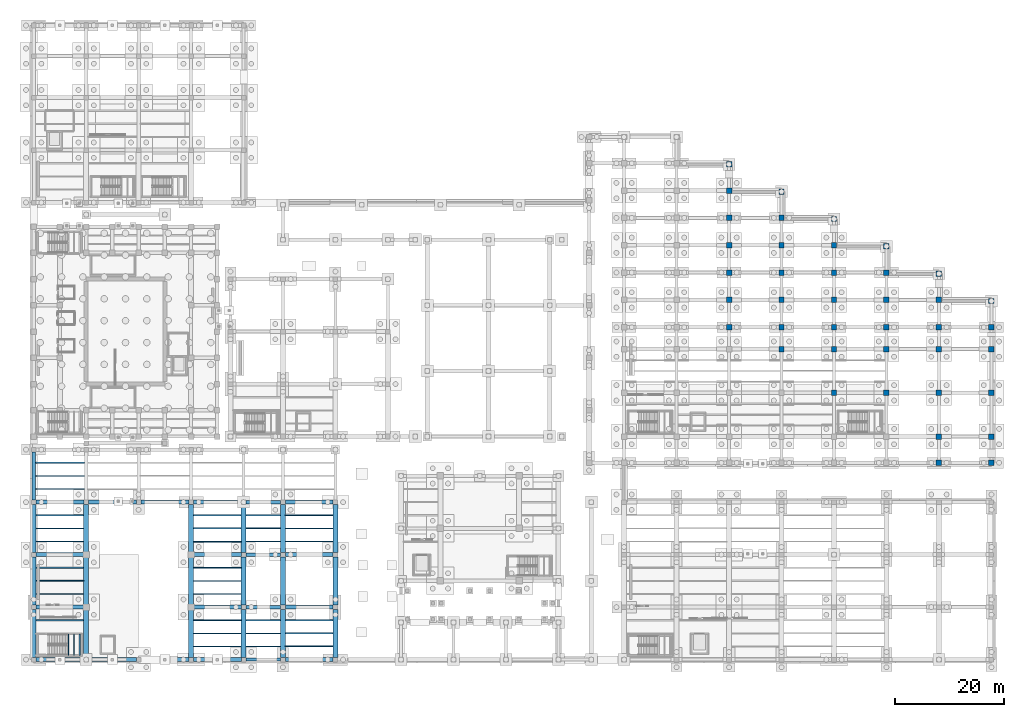
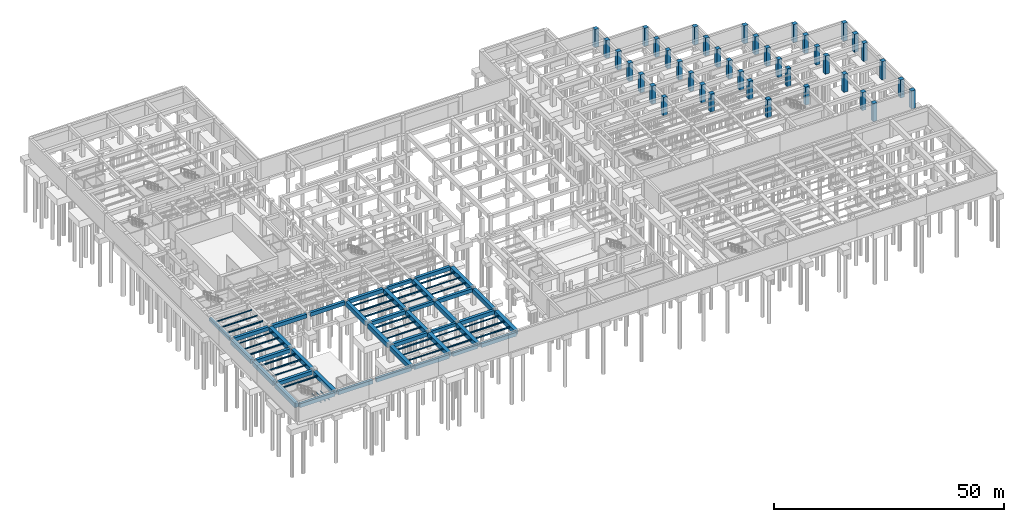
# One storey, part 24 of 56: 73 beams, 40 columns.
"""IFC4 building model written with IfcOpenShell, lengths in metres."""

import ifcopenshell
import ifcopenshell.guid

model = None  # the IFC model being written
_history = None  # IfcOwnerHistory: only IFC2X3 demands one
_inside = {}  # id of a spatial element -> (the spatial element, [elements in it])
_under = {}  # id of a project, library or spatial element -> (it, [spatial elements below it])
_declared = {}  # id of a project -> (the project, [libraries it declares])
_typed = {}  # id of a type object -> (the type object, [elements of that type])
_made_of = {}  # id of a material, layer set ... -> (it, [elements and type objects made of it])


def new_model(schema):
    """Start an empty IFC model of exactly this schema.

    Asked for "IFC4X3", IfcOpenShell would pick the latest addendum, in which some entities
    have other attributes; the version numbers below select the first issue.
    IFC2X3 requires an IfcOwnerHistory on every rooted entity: one is made here for all.
    """
    global model, _history
    if schema == "IFC4X3":
        model = ifcopenshell.file(schema_version=(4, 3, 0, 0))
    else:
        model = ifcopenshell.file(schema=schema)
    _inside.clear()
    _under.clear()
    _declared.clear()
    _typed.clear()
    _made_of.clear()
    _history = None
    if model.schema == "IFC2X3":
        org = make("IfcOrganization", Name="unknown")
        user = make(
            "IfcPersonAndOrganization",
            ThePerson=make("IfcPerson", FamilyName="unknown"),
            TheOrganization=org,
        )
        app = make(
            "IfcApplication",
            ApplicationDeveloper=org,
            Version="unknown",
            ApplicationFullName="unknown",
            ApplicationIdentifier="unknown",
        )
        _history = make(
            "IfcOwnerHistory",
            OwningUser=user,
            OwningApplication=app,
            ChangeAction="ADDED",
            CreationDate=0,
        )
    return model


def make(cls, **values):
    """One entity of the class cls with the attributes given. An attribute that is None is left unset."""
    return model.create_entity(
        cls, **{name: value for name, value in values.items() if value is not None}
    )


def rooted(cls, **values):
    """An entity with a GlobalId (a new one), such as an element, a storey or a relation."""
    return make(cls, GlobalId=ifcopenshell.guid.new(), OwnerHistory=_history, **values)


def si_unit(unit_type, name, prefix=None):
    """IfcSIUnit, for example si_unit("LENGTHUNIT", "METRE", prefix="MILLI")."""
    return make("IfcSIUnit", UnitType=unit_type, Prefix=prefix, Name=name)


def assignment(units):
    """IfcUnitAssignment: the units of a project."""
    return None if units is None else make("IfcUnitAssignment", Units=units)


def point(xyz):
    """IfcCartesianPoint."""
    return None if xyz is None else make("IfcCartesianPoint", Coordinates=xyz)


def direction(xyz):
    """IfcDirection."""
    return None if xyz is None else make("IfcDirection", DirectionRatios=xyz)


def frame(location, z_axis=None, x_axis=None):
    """IfcAxis2Placement3D, a coordinate frame: its origin and axes. An axis left out is left unset."""
    return make(
        "IfcAxis2Placement3D",
        Location=point(location),
        Axis=direction(z_axis),
        RefDirection=direction(x_axis),
    )


def frame_2d(location, x_axis=None):
    """IfcAxis2Placement2D, a coordinate frame in the plane: its origin and x axis."""
    return make(
        "IfcAxis2Placement2D", Location=point(location), RefDirection=direction(x_axis)
    )


def origin():
    """The frame at (0, 0, 0) with its axes left unset."""
    return frame((0.0, 0.0, 0.0))


def origin_2d():
    """The frame at (0, 0) in the plane with its x axis left unset."""
    return frame_2d((0.0, 0.0))


def place(relative_to, where):
    """IfcLocalPlacement: puts the frame where relative to a parent placement (None: the world)."""
    return make(
        "IfcLocalPlacement", PlacementRelTo=relative_to, RelativePlacement=where
    )


def context(
    kind, dimensions, precision=None, world=None, true_north=None, identifier=None
):
    """IfcGeometricRepresentationContext, for example the 3D "Model" context."""
    return make(
        "IfcGeometricRepresentationContext",
        ContextIdentifier=identifier,
        ContextType=kind,
        CoordinateSpaceDimension=dimensions,
        Precision=precision,
        WorldCoordinateSystem=world,
        TrueNorth=true_north,
    )


def subcontext(parent, identifier, kind, view, scale=None):
    """IfcGeometricRepresentationSubContext, for example "Body" below "Model"."""
    return make(
        "IfcGeometricRepresentationSubContext",
        ContextIdentifier=identifier,
        ContextType=kind,
        ParentContext=parent,
        TargetScale=scale,
        TargetView=view,
    )


def project(units=None, contexts=None):
    """IfcProject with its units and contexts."""
    return rooted(
        "IfcProject",
        Name="project",
        RepresentationContexts=contexts,
        UnitsInContext=assignment(units),
    )


def spatial(cls, under=None, at=None, **own):
    """A site, building, storey or space (cls), placed at a placement, below another one or the project."""
    s = rooted(cls, ObjectPlacement=at, **own)
    if under is not None:
        _under.setdefault(under.id(), (under, []))[1].append(s)
    return s


def profile(cls, at=None, kind="AREA", **sizes):
    """A parametric profile (cls). Its sizes go by their IFC names, for example OverallWidth=200.0."""
    return make(cls, ProfileType=kind, Position=at, **sizes)


def rectangle(**sizes):
    """IfcRectangleProfileDef."""
    return profile("IfcRectangleProfileDef", **sizes)


def i_section(**sizes):
    """IfcIShapeProfileDef."""
    return profile("IfcIShapeProfileDef", **sizes)


def extrude(swept, where, along, depth):
    """IfcExtrudedAreaSolid: the profile swept, set in the frame where, extruded along a direction by depth."""
    return make(
        "IfcExtrudedAreaSolid",
        SweptArea=swept,
        Position=where,
        ExtrudedDirection=direction(along),
        Depth=depth,
    )


def shape(context_of_items, identifier, shape_type, items):
    """IfcShapeRepresentation: the items that make up one representation, for example the "Body"."""
    return make(
        "IfcShapeRepresentation",
        ContextOfItems=context_of_items,
        RepresentationIdentifier=identifier,
        RepresentationType=shape_type,
        Items=items,
    )


def material(Name=None, Category=None):
    """IfcMaterial."""
    return make("IfcMaterial", Name=Name, Category=Category)


def material_profile(
    of_material, cross_section, Name=None, Category=None, Priority=None
):
    """IfcMaterialProfile: a cross section and its material."""
    return make(
        "IfcMaterialProfile",
        Name=Name,
        Material=of_material,
        Profile=cross_section,
        Priority=Priority,
        Category=Category,
    )


def profile_set(profiles, Name=None, composite=None):
    """IfcMaterialProfileSet."""
    return make(
        "IfcMaterialProfileSet",
        Name=Name,
        MaterialProfiles=profiles,
        CompositeProfile=composite,
    )


def made_of(thing, what):
    """Note that an element or type object is made of a material, layer set ...; save() writes the relation."""
    if what is not None:
        _made_of.setdefault(what.id(), (what, []))[1].append(thing)
    return thing


def type_object(cls, material=None, **own):
    """A type object (cls), such as IfcWallType, which elements share."""
    return made_of(rooted(cls, **own), material)


def element(
    cls,
    number,
    at=None,
    inside=None,
    cuts=None,
    type_object=None,
    material=None,
    context=None,
    identifier="Body",
    shape_type=None,
    held_by="IfcProductDefinitionShape",
    body=None,
    shapes=None,
    **own,
):
    """One element of the class cls, such as IfcWall. Its Tag is "e" and its number.

    at: its placement. inside: the storey or other place that contains it. cuts: it is an
    opening in that element (IfcRelVoidsElement). A single representation is given by context,
    identifier, shape_type and body (its items); several are given by shapes. held_by: the class
    of the entity that holds the representations. save() writes the other relations.
    """
    e = rooted(cls, Tag="e%d" % number, ObjectPlacement=at, **own)
    if body is not None:
        shapes = [shape(context, identifier, shape_type, body)]
    if shapes is not None:
        e.Representation = make(held_by, Representations=shapes)
    if inside is not None:
        _inside.setdefault(inside.id(), (inside, []))[1].append(e)
    if cuts is not None:
        rooted(
            "IfcRelVoidsElement", RelatingBuildingElement=cuts, RelatedOpeningElement=e
        )
    if type_object is not None:
        _typed.setdefault(type_object.id(), (type_object, []))[1].append(e)
    return made_of(e, material)


def aggregate(whole, parts):
    """IfcRelAggregates: a whole, such as a stair, and the parts it consists of."""
    return rooted("IfcRelAggregates", RelatingObject=whole, RelatedObjects=parts)


def save(model, path):
    """Write the relations noted so far, then the file.

    IfcRelAggregates (storeys below a building ...), IfcRelContainedInSpatialStructure (elements
    in a storey), IfcRelDefinesByType, IfcRelAssociatesMaterial and IfcRelDeclares: one each for
    every whole, place, type object, material and project.
    """
    for whole, parts in _under.values():
        aggregate(whole, parts)
    for where, things in _inside.values():
        rooted(
            "IfcRelContainedInSpatialStructure",
            RelatedElements=things,
            RelatingStructure=where,
        )
    for kind, things in _typed.values():
        rooted("IfcRelDefinesByType", RelatedObjects=things, RelatingType=kind)
    for what, things in _made_of.values():
        rooted("IfcRelAssociatesMaterial", RelatedObjects=things, RelatingMaterial=what)
    for by, libraries in _declared.values():
        rooted("IfcRelDeclares", RelatingContext=by, RelatedDefinitions=libraries)
    model.write(path)


model = new_model("IFC4")

# Units and contexts
model_context = context("Model", 3, precision=1e-05, world=origin(), true_north=direction((0.0, 1.0)))
body_context = subcontext(model_context, "Body", "Model", "MODEL_VIEW")
ifc_project = project(units=[si_unit("LENGTHUNIT", "METRE"), si_unit("AREAUNIT", "SQUARE_METRE"), si_unit("VOLUMEUNIT", "CUBIC_METRE"), si_unit("PLANEANGLEUNIT", "RADIAN"), si_unit("MASSUNIT", "GRAM", prefix="KILO")], contexts=[model_context])

# Site, building, storey
site_placement = place(None, origin())
site = spatial("IfcSite", under=ifc_project, at=site_placement, CompositionType="ELEMENT")
building_placement = place(site_placement, origin())
building = spatial("IfcBuilding", under=site, at=building_placement, Name="Mavantir Sound Aquarium", CompositionType="ELEMENT")
storey_placement = place(building_placement, frame((0.0, 0.0, -9.60009765625)))
storey = spatial("IfcBuildingStorey", under=building, at=storey_placement, Name="B2", CompositionType="ELEMENT", Elevation=-9.60009765625)

# Columns
ifc_material_1 = material(Name="Concrete C40/50", Category="concrete")
ifc_material_profile_1 = material_profile(ifc_material_1, rectangle(XDim=1.0, YDim=1.0, at=origin_2d()), Name="RC 1000X1000")
ifc_profile_set_1 = profile_set([ifc_material_profile_1], Name="Concrete C40/50")
column_type_1 = type_object("IfcColumnType", Name="COL-RC1000-E", PredefinedType="COLUMN", material=ifc_profile_set_1)
for number, where, z_axis, x_axis, name in (
    (1, (175.199951171875, 36.0, 0.0), (0.0, 0.0, 1.0), (1.0, 0.0, 0.0), "B2 column RC-C10 (V4)"),
    (2, (175.199951171875, 40.800048828125, 0.0), (0.0, 0.0, 1.0), (1.0, 0.0, 0.0), "B2 column RC-C10 (V4)"),
    (3, (175.199951171875, 48.800048828125, 0.0), (0.0, 0.0, 1.0), (1.0, 0.0, 0.0), "B2 column RC-C10 (V4)"),
    (4, (175.199951171875, 56.800048828125, 0.0), (0.0, 0.0, 1.0), (1.0, 0.0, 0.0), "B2 column RC-C10 (V4)"),
    (5, (175.199951171875, 60.800048828125, 0.0), (0.0, 0.0, 1.0), (1.0, 0.0, 0.0), "B2 column RC-C10 (V4)"),
    (6, (175.199951171875, 65.60009765625, 0.0), (0.0, 0.0, 1.0), (1.0, 0.0, 0.0), "B2 column RC-C10 (V4)"),
):
    element("IfcColumn", number, at=place(storey_placement, frame(where, z_axis=z_axis, x_axis=x_axis)), inside=storey, type_object=column_type_1, Name=name, PredefinedType="COLUMN", context=body_context, shape_type="SweptSolid", body=[
        extrude(rectangle(XDim=1.0, YDim=1.0, at=origin_2d()), origin(), (0.0, 0.0, 1.0), 4.800048828125),
    ])
ifc_material_profile_2 = material_profile(ifc_material_1, rectangle(XDim=1.0, YDim=1.0, at=origin_2d()), Name="RC 1000X1000")
ifc_profile_set_2 = profile_set([ifc_material_profile_2], Name="Concrete C40/50")
column_type_2 = type_object("IfcColumnType", Name="COL-RC1000-I", PredefinedType="COLUMN", material=ifc_profile_set_2)
for number, where, z_axis, x_axis, name in (
    (7, (127.199951171875, 60.800048828125, 0.0), (0.0, 0.0, 1.0), (1.0, 0.0, 0.0), "B2 column RC-C10 (V4)"),
    (8, (127.199951171875, 65.800048828125, 0.0), (0.0, 0.0, 1.0), (1.0, 0.0, 0.0), "B2 column RC-C10 (V4)"),
    (9, (127.199951171875, 70.800048828125, 0.0), (0.0, 0.0, 1.0), (1.0, 0.0, 0.0), "B2 column RC-C10 (V4)"),
    (10, (127.199951171875, 75.800048828125, 0.0), (0.0, 0.0, 1.0), (1.0, 0.0, 0.0), "B2 column RC-C10 (V4)"),
    (11, (127.199951171875, 80.800048828125, 0.0), (0.0, 0.0, 1.0), (1.0, 0.0, 0.0), "B2 column RC-C10 (V4)"),
    (12, (127.199951171875, 85.800048828125, 0.0), (0.0, 0.0, 1.0), (1.0, 0.0, 0.0), "B2 column RC-C10 (V4)"),
    (13, (127.199951171875, 90.60009765625, 0.0), (0.0, 0.0, 1.0), (1.0, 0.0, 0.0), "B2 column RC-C10 (V4)"),
    (14, (136.800048828125, 56.800048828125, 0.0), (0.0, 0.0, 1.0), (1.0, 0.0, 0.0), "B2 column RC-C10 (V4)"),
    (15, (136.800048828125, 60.800048828125, 0.0), (0.0, 0.0, 1.0), (1.0, 0.0, 0.0), "B2 column RC-C10 (V4)"),
    (16, (136.800048828125, 65.800048828125, 0.0), (0.0, 0.0, 1.0), (1.0, 0.0, 0.0), "B2 column RC-C10 (V4)"),
    (17, (136.800048828125, 70.800048828125, 0.0), (0.0, 0.0, 1.0), (1.0, 0.0, 0.0), "B2 column RC-C10 (V4)"),
    (18, (136.800048828125, 75.800048828125, 0.0), (0.0, 0.0, 1.0), (1.0, 0.0, 0.0), "B2 column RC-C10 (V4)"),
    (19, (136.800048828125, 80.800048828125, 0.0), (0.0, 0.0, 1.0), (1.0, 0.0, 0.0), "B2 column RC-C10 (V4)"),
    (20, (136.800048828125, 85.60009765625, 0.0), (0.0, 0.0, 1.0), (1.0, 0.0, 0.0), "B2 column RC-C10 (V4)"),
    (21, (146.39990234375, 48.800048828125, 0.0), (0.0, 0.0, 1.0), (1.0, 0.0, 0.0), "B2 column RC-C10 (V4)"),
    (22, (146.39990234375, 56.800048828125, 0.0), (0.0, 0.0, 1.0), (1.0, 0.0, 0.0), "B2 column RC-C10 (V4)"),
    (23, (146.39990234375, 60.800048828125, 0.0), (0.0, 0.0, 1.0), (1.0, 0.0, 0.0), "B2 column RC-C10 (V4)"),
    (24, (146.39990234375, 65.800048828125, 0.0), (0.0, 0.0, 1.0), (1.0, 0.0, 0.0), "B2 column RC-C10 (V4)"),
    (25, (146.39990234375, 70.800048828125, 0.0), (0.0, 0.0, 1.0), (1.0, 0.0, 0.0), "B2 column RC-C10 (V4)"),
    (26, (146.39990234375, 75.800048828125, 0.0), (0.0, 0.0, 1.0), (1.0, 0.0, 0.0), "B2 column RC-C10 (V4)"),
    (27, (146.39990234375, 80.60009765625, 0.0), (0.0, 0.0, 1.0), (1.0, 0.0, 0.0), "B2 column RC-C10 (V4)"),
    (28, (156.0, 48.800048828125, 0.0), (0.0, 0.0, 1.0), (1.0, 0.0, 0.0), "B2 column RC-C10 (V4)"),
    (29, (156.0, 56.800048828125, 0.0), (0.0, 0.0, 1.0), (1.0, 0.0, 0.0), "B2 column RC-C10 (V4)"),
    (30, (156.0, 60.800048828125, 0.0), (0.0, 0.0, 1.0), (1.0, 0.0, 0.0), "B2 column RC-C10 (V4)"),
    (31, (156.0, 65.800048828125, 0.0), (0.0, 0.0, 1.0), (1.0, 0.0, 0.0), "B2 column RC-C10 (V4)"),
    (32, (156.0, 70.800048828125, 0.0), (0.0, 0.0, 1.0), (1.0, 0.0, 0.0), "B2 column RC-C10 (V4)"),
    (33, (156.0, 75.60009765625, 0.0), (0.0, 0.0, 1.0), (1.0, 0.0, 0.0), "B2 column RC-C10 (V4)"),
    (34, (165.60009765625, 36.0, 0.0), (0.0, 0.0, 1.0), (1.0, 0.0, 0.0), "B2 column RC-C10 (V4)"),
    (35, (165.60009765625, 40.800048828125, 0.0), (0.0, 0.0, 1.0), (1.0, 0.0, 0.0), "B2 column RC-C10 (V4)"),
    (36, (165.60009765625, 48.800048828125, 0.0), (0.0, 0.0, 1.0), (1.0, 0.0, 0.0), "B2 column RC-C10 (V4)"),
    (37, (165.60009765625, 56.800048828125, 0.0), (0.0, 0.0, 1.0), (1.0, 0.0, 0.0), "B2 column RC-C10 (V4)"),
    (38, (165.60009765625, 60.800048828125, 0.0), (0.0, 0.0, 1.0), (1.0, 0.0, 0.0), "B2 column RC-C10 (V4)"),
    (39, (165.60009765625, 65.800048828125, 0.0), (0.0, 0.0, 1.0), (1.0, 0.0, 0.0), "B2 column RC-C10 (V4)"),
    (40, (165.60009765625, 70.60009765625, 0.0), (0.0, 0.0, 1.0), (1.0, 0.0, 0.0), "B2 column RC-C10 (V4)"),
):
    element("IfcColumn", number, at=place(storey_placement, frame(where, z_axis=z_axis, x_axis=x_axis)), inside=storey, type_object=column_type_2, Name=name, PredefinedType="COLUMN", context=body_context, shape_type="SweptSolid", body=[
        extrude(rectangle(XDim=1.0, YDim=1.0, at=origin_2d()), origin(), (0.0, 0.0, 1.0), 4.800048828125),
    ])

# Beams
ifc_material_profile_3 = material_profile(ifc_material_1, rectangle(XDim=0.60009765625, YDim=0.89990234375, at=origin_2d()), Name="RC 600X900")
ifc_profile_set_3 = profile_set([ifc_material_profile_3], Name="Concrete C40/50")
beam_type_1 = type_object("IfcBeamType", Name="BM-RC600X900-E", PredefinedType="BEAM", material=ifc_profile_set_3)
beam_1_placement = place(storey_placement, frame((38.824951171875, 0.0, 3.99609375), z_axis=(1.0, 0.0, 0.0), x_axis=(0.0, 1.0, 0.0)))
element("IfcBeam", 41, at=beam_1_placement, inside=storey, type_object=beam_type_1, Name="B2 primary beam RCB-09 130", PredefinedType="BEAM", context=body_context, shape_type="SweptSolid", body=[
    extrude(rectangle(XDim=0.60009765625, YDim=0.89990234375, at=origin_2d()), origin(), (0.0, 0.0, 1.0), 6.35009765625),
])
beam_2_placement = place(storey_placement, frame((0.0, 29.22509765625, 3.99609375), z_axis=(0.0, 1.0, 0.0), x_axis=(-1.0, 0.0, 0.0)))
element("IfcBeam", 42, at=beam_2_placement, inside=storey, type_object=beam_type_1, Name="B2 primary girder RCB-09 155", PredefinedType="BEAM", context=body_context, shape_type="SweptSolid", body=[
    extrude(rectangle(XDim=0.60009765625, YDim=0.89990234375, at=origin_2d()), origin(), (0.0, 0.0, 1.0), 8.75),
])
ifc_material_profile_4 = material_profile(ifc_material_1, rectangle(XDim=0.60009765625, YDim=0.89990234375, at=origin_2d()), Name="RC 600X900")
ifc_profile_set_4 = profile_set([ifc_material_profile_4], Name="Concrete C40/50")
beam_type_2 = type_object("IfcBeamType", Name="BM-RC600X900-I", PredefinedType="BEAM", material=ifc_profile_set_4)
for number, where, z_axis, x_axis, name in (
    (43, (38.824951171875, 9.60009765625, 3.99609375), (1.0, 0.0, 0.0), (0.0, 1.0, 0.0), "B2 primary beam RCB-09 134"),
    (44, (38.824951171875, 19.199951171875, 3.99609375), (1.0, 0.0, 0.0), (0.0, 1.0, 0.0), "B2 primary beam RCB-09 138"),
    (45, (38.824951171875, 28.800048828125, 3.99609375), (1.0, 0.0, 0.0), (0.0, 1.0, 0.0), "B2 primary beam RCB-09 144"),
):
    element("IfcBeam", number, at=place(storey_placement, frame(where, z_axis=z_axis, x_axis=x_axis)), inside=storey, type_object=beam_type_2, Name=name, PredefinedType="BEAM", context=body_context, shape_type="SweptSolid", body=[
        extrude(rectangle(XDim=0.60009765625, YDim=0.89990234375, at=origin_2d()), origin(), (0.0, 0.0, 1.0), 6.35009765625),
    ])
ifc_material_profile_5 = material_profile(ifc_material_1, rectangle(XDim=0.699951171875, YDim=1.0, at=origin_2d()), Name="RC 700X1000")
ifc_profile_set_5 = profile_set([ifc_material_profile_5], Name="Concrete C40/50")
beam_type_3 = type_object("IfcBeamType", Name="BM-RC700X1000-E", PredefinedType="BEAM", material=ifc_profile_set_5)
for number, where, z_axis, x_axis, name in (
    (46, (0.425048828125, 0.0, 3.946044921875), (1.0, 0.0, 0.0), (0.0, 1.0, 0.0), "B2 primary beam RCB-10 126"),
    (47, (10.02490234375, 0.0, 3.946044921875), (1.0, 0.0, 0.0), (0.0, 1.0, 0.0), "B2 primary beam RCB-10 127"),
    (48, (19.625, 0.0, 3.946044921875), (1.0, 0.0, 0.0), (0.0, 1.0, 0.0), "B2 primary beam RCB-10 128"),
    (49, (29.22509765625, 0.0, 3.946044921875), (1.0, 0.0, 0.0), (0.0, 1.0, 0.0), "B2 primary beam RCB-10 129"),
    (50, (46.02490234375, 0.0, 3.946044921875), (1.0, 0.0, 0.0), (0.0, 1.0, 0.0), "B2 primary beam RCB-10 131"),
):
    element("IfcBeam", number, at=place(storey_placement, frame(where, z_axis=z_axis, x_axis=x_axis)), inside=storey, type_object=beam_type_3, Name=name, PredefinedType="BEAM", context=body_context, shape_type="SweptSolid", body=[
        extrude(rectangle(XDim=0.699951171875, YDim=1.0, at=origin_2d()), origin(), (0.0, 0.0, 1.0), 8.75),
    ])
ifc_material_profile_6 = material_profile(ifc_material_1, rectangle(XDim=0.699951171875, YDim=1.0, at=origin_2d()), Name="RC 700X1000")
ifc_profile_set_6 = profile_set([ifc_material_profile_6], Name="Concrete C40/50")
beam_type_4 = type_object("IfcBeamType", Name="BM-RC700X1000-I", PredefinedType="BEAM", material=ifc_profile_set_6)
beam_3_placement = place(storey_placement, frame((0.425048828125, 9.60009765625, 3.946044921875), z_axis=(1.0, 0.0, 0.0), x_axis=(0.0, 1.0, 0.0)))
element("IfcBeam", 51, at=beam_3_placement, inside=storey, type_object=beam_type_4, Name="B2 primary beam RCB-10 132", PredefinedType="BEAM", context=body_context, shape_type="SweptSolid", body=[
    extrude(rectangle(XDim=0.699951171875, YDim=1.0, at=origin_2d()), origin(), (0.0, 0.0, 1.0), 8.724853515625),
])
beam_4_placement = place(storey_placement, frame((29.25, 9.60009765625, 3.946044921875), z_axis=(1.0, 0.0, 0.0), x_axis=(0.0, 1.0, 0.0)))
element("IfcBeam", 52, at=beam_4_placement, inside=storey, type_object=beam_type_4, Name="B2 primary beam RCB-10 133", PredefinedType="BEAM", context=body_context, shape_type="SweptSolid", body=[
    extrude(rectangle(XDim=0.699951171875, YDim=1.0, at=origin_2d()), origin(), (0.0, 0.0, 1.0), 8.72509765625),
])
beam_5_placement = place(storey_placement, frame((46.02490234375, 9.60009765625, 3.946044921875), z_axis=(1.0, 0.0, 0.0), x_axis=(0.0, 1.0, 0.0)))
element("IfcBeam", 53, at=beam_5_placement, inside=storey, type_object=beam_type_4, Name="B2 primary beam RCB-10 135", PredefinedType="BEAM", context=body_context, shape_type="SweptSolid", body=[
    extrude(rectangle(XDim=0.699951171875, YDim=1.0, at=origin_2d()), origin(), (0.0, 0.0, 1.0), 8.75),
])
beam_6_placement = place(storey_placement, frame((0.425048828125, 19.199951171875, 3.946044921875), z_axis=(1.0, 0.0, 0.0), x_axis=(0.0, 1.0, 0.0)))
element("IfcBeam", 54, at=beam_6_placement, inside=storey, type_object=beam_type_4, Name="B2 primary beam RCB-10 136", PredefinedType="BEAM", context=body_context, shape_type="SweptSolid", body=[
    extrude(rectangle(XDim=0.699951171875, YDim=1.0, at=origin_2d()), origin(), (0.0, 0.0, 1.0), 8.724853515625),
])
beam_7_placement = place(storey_placement, frame((29.25, 19.199951171875, 3.946044921875), z_axis=(1.0, 0.0, 0.0), x_axis=(0.0, 1.0, 0.0)))
element("IfcBeam", 55, at=beam_7_placement, inside=storey, type_object=beam_type_4, Name="B2 primary beam RCB-10 137", PredefinedType="BEAM", context=body_context, shape_type="SweptSolid", body=[
    extrude(rectangle(XDim=0.699951171875, YDim=1.0, at=origin_2d()), origin(), (0.0, 0.0, 1.0), 8.72509765625),
])
for number, where, z_axis, x_axis, name in (
    (56, (46.02490234375, 19.199951171875, 3.946044921875), (1.0, 0.0, 0.0), (0.0, 1.0, 0.0), "B2 primary beam RCB-10 139"),
    (57, (0.425048828125, 28.800048828125, 3.946044921875), (1.0, 0.0, 0.0), (0.0, 1.0, 0.0), "B2 primary beam RCB-10 140"),
    (58, (10.02490234375, 28.800048828125, 3.946044921875), (1.0, 0.0, 0.0), (0.0, 1.0, 0.0), "B2 primary beam RCB-10 141"),
    (59, (19.625, 28.800048828125, 3.946044921875), (1.0, 0.0, 0.0), (0.0, 1.0, 0.0), "B2 primary beam RCB-10 142"),
    (60, (29.22509765625, 28.800048828125, 3.946044921875), (1.0, 0.0, 0.0), (0.0, 1.0, 0.0), "B2 primary beam RCB-10 143"),
    (61, (46.02490234375, 28.800048828125, 3.946044921875), (1.0, 0.0, 0.0), (0.0, 1.0, 0.0), "B2 primary beam RCB-10 145"),
):
    element("IfcBeam", number, at=place(storey_placement, frame(where, z_axis=z_axis, x_axis=x_axis)), inside=storey, type_object=beam_type_4, Name=name, PredefinedType="BEAM", context=body_context, shape_type="SweptSolid", body=[
        extrude(rectangle(XDim=0.699951171875, YDim=1.0, at=origin_2d()), origin(), (0.0, 0.0, 1.0), 8.75),
    ])
ifc_material_profile_7 = material_profile(ifc_material_1, rectangle(XDim=0.89990234375, YDim=1.199951171875, at=origin_2d()), Name="RC 900X1200")
ifc_profile_set_7 = profile_set([ifc_material_profile_7], Name="Concrete C40/50")
beam_type_5 = type_object("IfcBeamType", Name="BM-RC900X1200-E", PredefinedType="BEAM", material=ifc_profile_set_7)
for number, where, z_axis, x_axis, name in (
    (62, (0.0, 0.425048828125, 3.84619140625), (0.0, 1.0, 0.0), (-1.0, 0.0, 0.0), "B2 primary girder RCB-12 152"),
    (63, (0.0, 10.02490234375, 3.84619140625), (0.0, 1.0, 0.0), (-1.0, 0.0, 0.0), "B2 primary girder RCB-12 153"),
    (64, (0.0, 19.625, 3.84619140625), (0.0, 1.0, 0.0), (-1.0, 0.0, 0.0), "B2 primary girder RCB-12 154"),
    (65, (55.199951171875, 0.425048828125, 3.84619140625), (0.0, 1.0, 0.0), (-1.0, 0.0, 0.0), "B2 primary girder RCB-12 173"),
    (66, (55.199951171875, 10.02490234375, 3.84619140625), (0.0, 1.0, 0.0), (-1.0, 0.0, 0.0), "B2 primary girder RCB-12 174"),
    (67, (55.199951171875, 19.625, 3.84619140625), (0.0, 1.0, 0.0), (-1.0, 0.0, 0.0), "B2 primary girder RCB-12 175"),
):
    element("IfcBeam", number, at=place(storey_placement, frame(where, z_axis=z_axis, x_axis=x_axis)), inside=storey, type_object=beam_type_5, Name=name, PredefinedType="BEAM", context=body_context, shape_type="SweptSolid", body=[
        extrude(rectangle(XDim=0.89990234375, YDim=1.199951171875, at=origin_2d()), origin(), (0.0, 0.0, 1.0), 8.75),
    ])
ifc_material_profile_8 = material_profile(ifc_material_1, rectangle(XDim=0.89990234375, YDim=1.199951171875, at=origin_2d()), Name="RC 900X1200")
ifc_profile_set_8 = profile_set([ifc_material_profile_8], Name="Concrete C40/50")
beam_type_6 = type_object("IfcBeamType", Name="BM-RC900X1200-I", PredefinedType="BEAM", material=ifc_profile_set_8)
beam_8_placement = place(storey_placement, frame((9.60009765625, 0.425048828125, 3.84619140625), z_axis=(0.0, 1.0, 0.0), x_axis=(-1.0, 0.0, 0.0)))
element("IfcBeam", 68, at=beam_8_placement, inside=storey, type_object=beam_type_6, Name="B2 primary girder RCB-12 156", PredefinedType="BEAM", context=body_context, shape_type="SweptSolid", body=[
    extrude(rectangle(XDim=0.89990234375, YDim=1.199951171875, at=origin_2d()), origin(), (0.0, 0.0, 1.0), 8.724853515625),
])
beam_9_placement = place(storey_placement, frame((9.60009765625, 10.050048828125, 3.84619140625), z_axis=(0.0, 1.0, 0.0), x_axis=(-1.0, 0.0, 0.0)))
element("IfcBeam", 69, at=beam_9_placement, inside=storey, type_object=beam_type_6, Name="B2 primary girder RCB-12 157", PredefinedType="BEAM", context=body_context, shape_type="SweptSolid", body=[
    extrude(rectangle(XDim=0.89990234375, YDim=1.199951171875, at=origin_2d()), origin(), (0.0, 0.0, 1.0), 8.699951171875),
])
beam_10_placement = place(storey_placement, frame((9.60009765625, 19.64990234375, 3.84619140625), z_axis=(0.0, 1.0, 0.0), x_axis=(-1.0, 0.0, 0.0)))
element("IfcBeam", 70, at=beam_10_placement, inside=storey, type_object=beam_type_6, Name="B2 primary girder RCB-12 158", PredefinedType="BEAM", context=body_context, shape_type="SweptSolid", body=[
    extrude(rectangle(XDim=0.89990234375, YDim=1.199951171875, at=origin_2d()), origin(), (0.0, 0.0, 1.0), 8.72509765625),
])
beam_11_placement = place(storey_placement, frame((28.800048828125, 0.425048828125, 3.84619140625), z_axis=(0.0, 1.0, 0.0), x_axis=(-1.0, 0.0, 0.0)))
element("IfcBeam", 71, at=beam_11_placement, inside=storey, type_object=beam_type_6, Name="B2 primary girder RCB-12 161", PredefinedType="BEAM", context=body_context, shape_type="SweptSolid", body=[
    extrude(rectangle(XDim=0.89990234375, YDim=1.199951171875, at=origin_2d()), origin(), (0.0, 0.0, 1.0), 8.724853515625),
])
beam_12_placement = place(storey_placement, frame((28.800048828125, 10.050048828125, 3.84619140625), z_axis=(0.0, 1.0, 0.0), x_axis=(-1.0, 0.0, 0.0)))
element("IfcBeam", 72, at=beam_12_placement, inside=storey, type_object=beam_type_6, Name="B2 primary girder RCB-12 162", PredefinedType="BEAM", context=body_context, shape_type="SweptSolid", body=[
    extrude(rectangle(XDim=0.89990234375, YDim=1.199951171875, at=origin_2d()), origin(), (0.0, 0.0, 1.0), 8.699951171875),
])
beam_13_placement = place(storey_placement, frame((28.800048828125, 19.64990234375, 3.84619140625), z_axis=(0.0, 1.0, 0.0), x_axis=(-1.0, 0.0, 0.0)))
element("IfcBeam", 73, at=beam_13_placement, inside=storey, type_object=beam_type_6, Name="B2 primary girder RCB-12 163", PredefinedType="BEAM", context=body_context, shape_type="SweptSolid", body=[
    extrude(rectangle(XDim=0.89990234375, YDim=1.199951171875, at=origin_2d()), origin(), (0.0, 0.0, 1.0), 8.72509765625),
])
for number, where, z_axis, x_axis, name in (
    (74, (38.39990234375, 0.425048828125, 3.84619140625), (0.0, 1.0, 0.0), (-1.0, 0.0, 0.0), "B2 primary girder RCB-12 165"),
    (75, (38.39990234375, 10.02490234375, 3.84619140625), (0.0, 1.0, 0.0), (-1.0, 0.0, 0.0), "B2 primary girder RCB-12 166"),
    (76, (38.39990234375, 19.625, 3.84619140625), (0.0, 1.0, 0.0), (-1.0, 0.0, 0.0), "B2 primary girder RCB-12 167"),
    (77, (45.60009765625, 0.425048828125, 3.84619140625), (0.0, 1.0, 0.0), (-1.0, 0.0, 0.0), "B2 primary girder RCB-12 169"),
    (78, (45.60009765625, 10.02490234375, 3.84619140625), (0.0, 1.0, 0.0), (-1.0, 0.0, 0.0), "B2 primary girder RCB-12 170"),
    (79, (45.60009765625, 19.625, 3.84619140625), (0.0, 1.0, 0.0), (-1.0, 0.0, 0.0), "B2 primary girder RCB-12 171"),
):
    element("IfcBeam", number, at=place(storey_placement, frame(where, z_axis=z_axis, x_axis=x_axis)), inside=storey, type_object=beam_type_6, Name=name, PredefinedType="BEAM", context=body_context, shape_type="SweptSolid", body=[
        extrude(rectangle(XDim=0.89990234375, YDim=1.199951171875, at=origin_2d()), origin(), (0.0, 0.0, 1.0), 8.75),
    ])
ifc_material_2 = material(Name="Structural Steel ASTM A992 Gr50", Category="steel")
ifc_material_profile_9 = material_profile(ifc_material_2, i_section(OverallWidth=0.202880859375, OverallDepth=0.202880859375, WebThickness=0.007080078125, FlangeThickness=0.010986328125, FilletRadius=0.010009765625, at=origin_2d()), Name="W200X46")
ifc_profile_set_9 = profile_set([ifc_material_profile_9], Name="Structural Steel ASTM A992 Gr50")
beam_type_7 = type_object("IfcBeamType", Name="BM-W200X46-I", PredefinedType="LINTEL", material=ifc_profile_set_9)
for number, where, z_axis, x_axis, name in (
    (80, (6.35009765625, 0.72509765625, 2.095703125), (0.0, 1.0, 0.0), (-1.0, 0.0, 0.0), "Stair ST3 landing support beam 37"),
    (81, (7.389892578125, 0.72509765625, 2.095703125), (0.0, 1.0, 0.0), (-1.0, 0.0, 0.0), "Stair ST3 landing support beam 38"),
    (82, (8.429931640625, 0.72509765625, 2.095703125), (0.0, 1.0, 0.0), (-1.0, 0.0, 0.0), "Stair ST3 landing support beam 39"),
):
    element("IfcBeam", number, at=place(storey_placement, frame(where, z_axis=z_axis, x_axis=x_axis)), inside=storey, type_object=beam_type_7, Name=name, PredefinedType="LINTEL", context=body_context, shape_type="SweptSolid", body=[
        extrude(i_section(OverallWidth=0.202880859375, OverallDepth=0.202880859375, WebThickness=0.007080078125, FlangeThickness=0.010986328125, FilletRadius=0.010009765625, at=origin_2d()), origin(), (0.0, 0.0, 1.0), 4.0),
    ])
ifc_material_profile_10 = material_profile(ifc_material_2, i_section(OverallWidth=0.202880859375, OverallDepth=0.251953125, WebThickness=0.008056640625, FlangeThickness=0.013427734375, FilletRadius=0.011962890625, at=origin_2d()), Name="W250X58")
ifc_profile_set_10 = profile_set([ifc_material_profile_10], Name="Structural Steel ASTM A992 Gr50")
beam_type_8 = type_object("IfcBeamType", Name="BM-W250X58-I", PredefinedType="JOIST", material=ifc_profile_set_10)
beam_14_placement = place(storey_placement, frame((29.25, 4.800048828125, 4.320068359375), z_axis=(1.0, 0.0, 0.0), x_axis=(0.0, 1.0, 0.0)))
element("IfcBeam", 83, at=beam_14_placement, inside=storey, type_object=beam_type_8, Name="B2 secondary floor joist SJ-25 28", PredefinedType="JOIST", context=body_context, shape_type="SweptSolid", body=[
    extrude(i_section(OverallWidth=0.202880859375, OverallDepth=0.251953125, WebThickness=0.008056640625, FlangeThickness=0.013427734375, FilletRadius=0.011962890625, at=origin_2d()), origin(), (0.0, 0.0, 1.0), 8.699951171875),
])
beam_15_placement = place(storey_placement, frame((38.85009765625, 7.199951171875, 4.320068359375), z_axis=(1.0, 0.0, 0.0), x_axis=(0.0, 1.0, 0.0)))
element("IfcBeam", 84, at=beam_15_placement, inside=storey, type_object=beam_type_8, Name="B2 secondary floor joist SJ-25 32", PredefinedType="JOIST", context=body_context, shape_type="SweptSolid", body=[
    extrude(i_section(OverallWidth=0.202880859375, OverallDepth=0.251953125, WebThickness=0.008056640625, FlangeThickness=0.013427734375, FilletRadius=0.011962890625, at=origin_2d()), origin(), (0.0, 0.0, 1.0), 6.2998046875),
])
for number, where, z_axis, x_axis, name in (
    (85, (0.449951171875, 12.0, 4.320068359375), (1.0, 0.0, 0.0), (0.0, 1.0, 0.0), "B2 secondary floor joist SJ-25 36"),
    (86, (29.25, 14.39990234375, 4.320068359375), (1.0, 0.0, 0.0), (0.0, 1.0, 0.0), "B2 secondary floor joist SJ-25 40"),
    (87, (0.449951171875, 26.39990234375, 4.320068359375), (1.0, 0.0, 0.0), (0.0, 1.0, 0.0), "B2 secondary floor joist SJ-25 44"),
):
    element("IfcBeam", number, at=place(storey_placement, frame(where, z_axis=z_axis, x_axis=x_axis)), inside=storey, type_object=beam_type_8, Name=name, PredefinedType="JOIST", context=body_context, shape_type="SweptSolid", body=[
        extrude(i_section(OverallWidth=0.202880859375, OverallDepth=0.251953125, WebThickness=0.008056640625, FlangeThickness=0.013427734375, FilletRadius=0.011962890625, at=origin_2d()), origin(), (0.0, 0.0, 1.0), 8.699951171875),
    ])
beam_16_placement = place(storey_placement, frame((38.85009765625, 21.60009765625, 4.320068359375), z_axis=(1.0, 0.0, 0.0), x_axis=(0.0, 1.0, 0.0)))
element("IfcBeam", 88, at=beam_16_placement, inside=storey, type_object=beam_type_8, Name="B2 secondary floor joist SJ-25 48", PredefinedType="JOIST", context=body_context, shape_type="SweptSolid", body=[
    extrude(i_section(OverallWidth=0.202880859375, OverallDepth=0.251953125, WebThickness=0.008056640625, FlangeThickness=0.013427734375, FilletRadius=0.011962890625, at=origin_2d()), origin(), (0.0, 0.0, 1.0), 6.2998046875),
])
beam_17_placement = place(storey_placement, frame((46.050048828125, 24.0, 4.320068359375), z_axis=(1.0, 0.0, 0.0), x_axis=(0.0, 1.0, 0.0)))
element("IfcBeam", 89, at=beam_17_placement, inside=storey, type_object=beam_type_8, Name="B2 secondary floor joist SJ-25 52", PredefinedType="JOIST", context=body_context, shape_type="SweptSolid", body=[
    extrude(i_section(OverallWidth=0.202880859375, OverallDepth=0.251953125, WebThickness=0.008056640625, FlangeThickness=0.013427734375, FilletRadius=0.011962890625, at=origin_2d()), origin(), (0.0, 0.0, 1.0), 8.699951171875),
])
beam_18_placement = place(storey_placement, frame((0.300048828125, 36.0, 4.320068359375), z_axis=(1.0, 0.0, 0.0), x_axis=(0.0, 1.0, 0.0)))
element("IfcBeam", 90, at=beam_18_placement, inside=storey, type_object=beam_type_8, Name="B2 secondary floor joist SJ-25 56", PredefinedType="JOIST", context=body_context, shape_type="SweptSolid", body=[
    extrude(i_section(OverallWidth=0.202880859375, OverallDepth=0.251953125, WebThickness=0.008056640625, FlangeThickness=0.013427734375, FilletRadius=0.011962890625, at=origin_2d()), origin(), (0.0, 0.0, 1.0), 9.0),
])
ifc_material_profile_11 = material_profile(ifc_material_2, i_section(OverallWidth=0.205078125, OverallDepth=0.31005859375, WebThickness=0.009521484375, FlangeThickness=0.016357421875, FilletRadius=0.012939453125, at=origin_2d()), Name="W310X74")
ifc_profile_set_11 = profile_set([ifc_material_profile_11], Name="Structural Steel ASTM A992 Gr50")
beam_type_9 = type_object("IfcBeamType", Name="BM-W310X74-I", PredefinedType="JOIST", material=ifc_profile_set_11)
beam_19_placement = place(storey_placement, frame((29.25, 2.39990234375, 4.291015625), z_axis=(1.0, 0.0, 0.0), x_axis=(0.0, 1.0, 0.0)))
element("IfcBeam", 91, at=beam_19_placement, inside=storey, type_object=beam_type_9, Name="B2 secondary floor joist SJ-31 27", PredefinedType="JOIST", context=body_context, shape_type="SweptSolid", body=[
    extrude(i_section(OverallWidth=0.205078125, OverallDepth=0.31005859375, WebThickness=0.009521484375, FlangeThickness=0.016357421875, FilletRadius=0.012939453125, at=origin_2d()), origin(), (0.0, 0.0, 1.0), 8.699951171875),
])
beam_20_placement = place(storey_placement, frame((38.85009765625, 4.800048828125, 4.291015625), z_axis=(1.0, 0.0, 0.0), x_axis=(0.0, 1.0, 0.0)))
element("IfcBeam", 92, at=beam_20_placement, inside=storey, type_object=beam_type_9, Name="B2 secondary floor joist SJ-31 31", PredefinedType="JOIST", context=body_context, shape_type="SweptSolid", body=[
    extrude(i_section(OverallWidth=0.205078125, OverallDepth=0.31005859375, WebThickness=0.009521484375, FlangeThickness=0.016357421875, FilletRadius=0.012939453125, at=origin_2d()), origin(), (0.0, 0.0, 1.0), 6.2998046875),
])
for number, where, z_axis, x_axis, name in (
    (93, (46.050048828125, 7.199951171875, 4.291015625), (1.0, 0.0, 0.0), (0.0, 1.0, 0.0), "B2 secondary floor joist SJ-31 35"),
    (94, (29.25, 12.0, 4.291015625), (1.0, 0.0, 0.0), (0.0, 1.0, 0.0), "B2 secondary floor joist SJ-31 39"),
    (95, (0.449951171875, 24.0, 4.291015625), (1.0, 0.0, 0.0), (0.0, 1.0, 0.0), "B2 secondary floor joist SJ-31 43"),
    (96, (29.25, 26.39990234375, 4.291015625), (1.0, 0.0, 0.0), (0.0, 1.0, 0.0), "B2 secondary floor joist SJ-31 47"),
    (97, (46.050048828125, 21.60009765625, 4.291015625), (1.0, 0.0, 0.0), (0.0, 1.0, 0.0), "B2 secondary floor joist SJ-31 51"),
):
    element("IfcBeam", number, at=place(storey_placement, frame(where, z_axis=z_axis, x_axis=x_axis)), inside=storey, type_object=beam_type_9, Name=name, PredefinedType="JOIST", context=body_context, shape_type="SweptSolid", body=[
        extrude(i_section(OverallWidth=0.205078125, OverallDepth=0.31005859375, WebThickness=0.009521484375, FlangeThickness=0.016357421875, FilletRadius=0.012939453125, at=origin_2d()), origin(), (0.0, 0.0, 1.0), 8.699951171875),
    ])
beam_21_placement = place(storey_placement, frame((0.300048828125, 33.60009765625, 4.291015625), z_axis=(1.0, 0.0, 0.0), x_axis=(0.0, 1.0, 0.0)))
element("IfcBeam", 98, at=beam_21_placement, inside=storey, type_object=beam_type_9, Name="B2 secondary floor joist SJ-31 55", PredefinedType="JOIST", context=body_context, shape_type="SweptSolid", body=[
    extrude(i_section(OverallWidth=0.205078125, OverallDepth=0.31005859375, WebThickness=0.009521484375, FlangeThickness=0.016357421875, FilletRadius=0.012939453125, at=origin_2d()), origin(), (0.0, 0.0, 1.0), 9.0),
])
ifc_material_profile_12 = material_profile(ifc_material_2, i_section(OverallWidth=0.25390625, OverallDepth=0.35302734375, WebThickness=0.009521484375, FlangeThickness=0.016357421875, FilletRadius=0.014892578125, at=origin_2d()), Name="W360X91")
ifc_profile_set_12 = profile_set([ifc_material_profile_12], Name="Structural Steel ASTM A992 Gr50")
beam_type_10 = type_object("IfcBeamType", Name="BM-W360X91-I", PredefinedType="JOIST", material=ifc_profile_set_12)
beam_22_placement = place(storey_placement, frame((0.449951171875, 7.199951171875, 4.26953125), z_axis=(1.0, 0.0, 0.0), x_axis=(0.0, 1.0, 0.0)))
element("IfcBeam", 99, at=beam_22_placement, inside=storey, type_object=beam_type_10, Name="B2 secondary floor joist SJ-36 26", PredefinedType="JOIST", context=body_context, shape_type="SweptSolid", body=[
    extrude(i_section(OverallWidth=0.25390625, OverallDepth=0.35302734375, WebThickness=0.009521484375, FlangeThickness=0.016357421875, FilletRadius=0.014892578125, at=origin_2d()), origin(), (0.0, 0.0, 1.0), 8.699951171875),
])
beam_23_placement = place(storey_placement, frame((38.85009765625, 2.39990234375, 4.26953125), z_axis=(1.0, 0.0, 0.0), x_axis=(0.0, 1.0, 0.0)))
element("IfcBeam", 100, at=beam_23_placement, inside=storey, type_object=beam_type_10, Name="B2 secondary floor joist SJ-36 30", PredefinedType="JOIST", context=body_context, shape_type="SweptSolid", body=[
    extrude(i_section(OverallWidth=0.25390625, OverallDepth=0.35302734375, WebThickness=0.009521484375, FlangeThickness=0.016357421875, FilletRadius=0.014892578125, at=origin_2d()), origin(), (0.0, 0.0, 1.0), 6.2998046875),
])
for number, where, z_axis, x_axis, name in (
    (101, (46.050048828125, 4.800048828125, 4.26953125), (1.0, 0.0, 0.0), (0.0, 1.0, 0.0), "B2 secondary floor joist SJ-36 34"),
    (102, (0.449951171875, 16.800048828125, 4.26953125), (1.0, 0.0, 0.0), (0.0, 1.0, 0.0), "B2 secondary floor joist SJ-36 38"),
    (103, (0.449951171875, 21.60009765625, 4.26953125), (1.0, 0.0, 0.0), (0.0, 1.0, 0.0), "B2 secondary floor joist SJ-36 42"),
    (104, (29.25, 24.0, 4.26953125), (1.0, 0.0, 0.0), (0.0, 1.0, 0.0), "B2 secondary floor joist SJ-36 46"),
):
    element("IfcBeam", number, at=place(storey_placement, frame(where, z_axis=z_axis, x_axis=x_axis)), inside=storey, type_object=beam_type_10, Name=name, PredefinedType="JOIST", context=body_context, shape_type="SweptSolid", body=[
        extrude(i_section(OverallWidth=0.25390625, OverallDepth=0.35302734375, WebThickness=0.009521484375, FlangeThickness=0.016357421875, FilletRadius=0.014892578125, at=origin_2d()), origin(), (0.0, 0.0, 1.0), 8.699951171875),
    ])
beam_24_placement = place(storey_placement, frame((38.85009765625, 26.39990234375, 4.26953125), z_axis=(1.0, 0.0, 0.0), x_axis=(0.0, 1.0, 0.0)))
element("IfcBeam", 105, at=beam_24_placement, inside=storey, type_object=beam_type_10, Name="B2 secondary floor joist SJ-36 50", PredefinedType="JOIST", context=body_context, shape_type="SweptSolid", body=[
    extrude(i_section(OverallWidth=0.25390625, OverallDepth=0.35302734375, WebThickness=0.009521484375, FlangeThickness=0.016357421875, FilletRadius=0.014892578125, at=origin_2d()), origin(), (0.0, 0.0, 1.0), 6.2998046875),
])
beam_25_placement = place(storey_placement, frame((0.300048828125, 31.199951171875, 4.26953125), z_axis=(1.0, 0.0, 0.0), x_axis=(0.0, 1.0, 0.0)))
element("IfcBeam", 106, at=beam_25_placement, inside=storey, type_object=beam_type_10, Name="B2 secondary floor joist SJ-36 54", PredefinedType="JOIST", context=body_context, shape_type="SweptSolid", body=[
    extrude(i_section(OverallWidth=0.25390625, OverallDepth=0.35302734375, WebThickness=0.009521484375, FlangeThickness=0.016357421875, FilletRadius=0.014892578125, at=origin_2d()), origin(), (0.0, 0.0, 1.0), 9.0),
])
ifc_material_profile_13 = material_profile(ifc_material_2, i_section(OverallWidth=0.180908203125, OverallDepth=0.4169921875, WebThickness=0.010986328125, FlangeThickness=0.018310546875, FilletRadius=0.014892578125, at=origin_2d()), Name="W410X85")
ifc_profile_set_13 = profile_set([ifc_material_profile_13], Name="Structural Steel ASTM A992 Gr50")
beam_type_11 = type_object("IfcBeamType", Name="BM-W410X85-I", PredefinedType="JOIST", material=ifc_profile_set_13)
for number, where, z_axis, x_axis, name in (
    (107, (29.25, 7.199951171875, 4.237548828125), (1.0, 0.0, 0.0), (0.0, 1.0, 0.0), "B2 secondary floor joist SJ-41 29"),
    (108, (46.050048828125, 2.39990234375, 4.237548828125), (1.0, 0.0, 0.0), (0.0, 1.0, 0.0), "B2 secondary floor joist SJ-41 33"),
    (109, (0.449951171875, 14.39990234375, 4.237548828125), (1.0, 0.0, 0.0), (0.0, 1.0, 0.0), "B2 secondary floor joist SJ-41 37"),
    (110, (29.25, 16.800048828125, 4.237548828125), (1.0, 0.0, 0.0), (0.0, 1.0, 0.0), "B2 secondary floor joist SJ-41 41"),
    (111, (29.25, 21.60009765625, 4.237548828125), (1.0, 0.0, 0.0), (0.0, 1.0, 0.0), "B2 secondary floor joist SJ-41 45"),
):
    element("IfcBeam", number, at=place(storey_placement, frame(where, z_axis=z_axis, x_axis=x_axis)), inside=storey, type_object=beam_type_11, Name=name, PredefinedType="JOIST", context=body_context, shape_type="SweptSolid", body=[
        extrude(i_section(OverallWidth=0.180908203125, OverallDepth=0.4169921875, WebThickness=0.010986328125, FlangeThickness=0.018310546875, FilletRadius=0.014892578125, at=origin_2d()), origin(), (0.0, 0.0, 1.0), 8.699951171875),
    ])
beam_26_placement = place(storey_placement, frame((38.85009765625, 24.0, 4.237548828125), z_axis=(1.0, 0.0, 0.0), x_axis=(0.0, 1.0, 0.0)))
element("IfcBeam", 112, at=beam_26_placement, inside=storey, type_object=beam_type_11, Name="B2 secondary floor joist SJ-41 49", PredefinedType="JOIST", context=body_context, shape_type="SweptSolid", body=[
    extrude(i_section(OverallWidth=0.180908203125, OverallDepth=0.4169921875, WebThickness=0.010986328125, FlangeThickness=0.018310546875, FilletRadius=0.014892578125, at=origin_2d()), origin(), (0.0, 0.0, 1.0), 6.2998046875),
])
beam_27_placement = place(storey_placement, frame((46.050048828125, 26.39990234375, 4.237548828125), z_axis=(1.0, 0.0, 0.0), x_axis=(0.0, 1.0, 0.0)))
element("IfcBeam", 113, at=beam_27_placement, inside=storey, type_object=beam_type_11, Name="B2 secondary floor joist SJ-41 53", PredefinedType="JOIST", context=body_context, shape_type="SweptSolid", body=[
    extrude(i_section(OverallWidth=0.180908203125, OverallDepth=0.4169921875, WebThickness=0.010986328125, FlangeThickness=0.018310546875, FilletRadius=0.014892578125, at=origin_2d()), origin(), (0.0, 0.0, 1.0), 8.699951171875),
])

save(model, "model.ifc")
